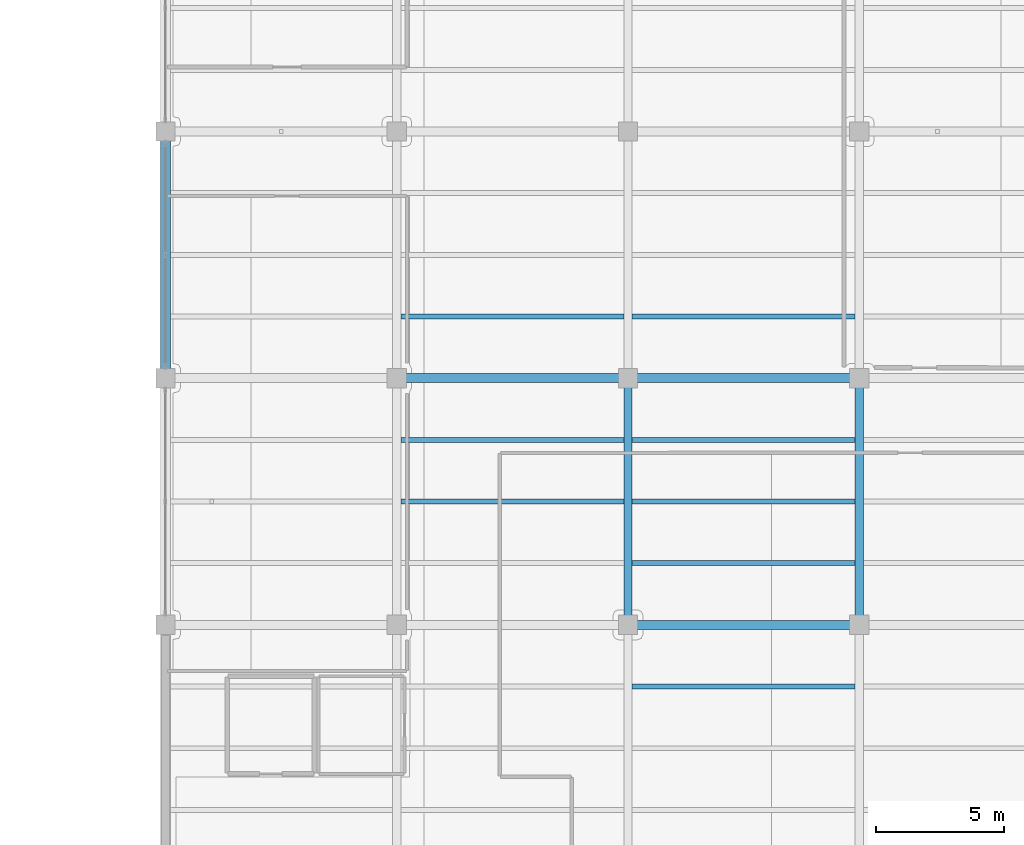
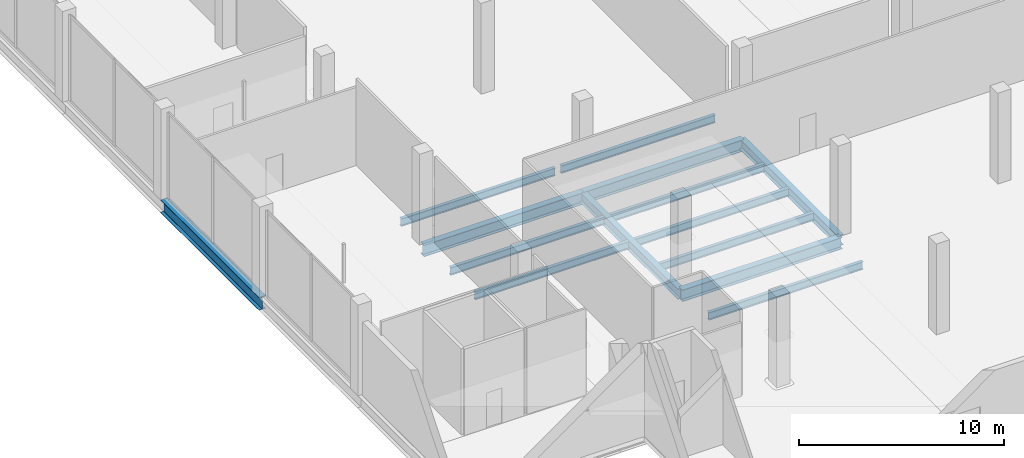
# One storey, part 6 of 47: 14 beams.
"""IFC4 building model written with IfcOpenShell, lengths in metres."""

from ifc_helpers import new_model, si_unit, direction, frame, origin, origin_2d, place, context, subcontext, project, spatial, i_section, extrude, material, material_profile, profile_set, type_object, element, save


model = new_model("IFC4")

# Units and contexts
model_context = context("Model", 3, precision=1e-05, world=origin(), true_north=direction((0.0, 1.0)))
body_context = subcontext(model_context, "Body", "Model", "MODEL_VIEW")
ifc_project = project(units=[si_unit("LENGTHUNIT", "METRE"), si_unit("AREAUNIT", "SQUARE_METRE"), si_unit("VOLUMEUNIT", "CUBIC_METRE"), si_unit("PLANEANGLEUNIT", "RADIAN"), si_unit("MASSUNIT", "GRAM", prefix="KILO")], contexts=[model_context])

# Site, building, storey
site_placement = place(None, origin())
site = spatial("IfcSite", under=ifc_project, at=site_placement, CompositionType="ELEMENT")
building_placement = place(site_placement, origin())
building = spatial("IfcBuilding", under=site, at=building_placement, Name="Qorvath Tower", CompositionType="ELEMENT")
storey_placement = place(building_placement, frame((0.0, 0.0, 6.60009765625)))
storey = spatial("IfcBuildingStorey", under=building, at=storey_placement, Name="L01", CompositionType="ELEMENT", Elevation=6.60009765625)

# Beams
ifc_material_1 = material(Name="Steel ASTM A992 Grade 50", Category="steel")
ifc_material_profile_1 = material_profile(ifc_material_1, i_section(OverallWidth=0.381103515625, OverallDepth=0.77294921875, WebThickness=0.0166015625, FlangeThickness=0.027099609375, FilletRadius=0.01904296875, at=origin_2d()), Name="W30x173")
ifc_profile_set_1 = profile_set([ifc_material_profile_1], Name="Steel ASTM A992 Grade 50")
beam_type_1 = type_object("IfcBeamType", Name="BM-FG3", PredefinedType="BEAM", material=ifc_profile_set_1)
beam_placement = place(storey_placement, frame((32.39990234375, -9.60009765625, -0.646484375), z_axis=(0.0, 1.0, 0.0), x_axis=(-1.0, 0.0, 0.0)))
element("IfcBeam", 1, at=beam_placement, inside=storey, type_object=beam_type_1, Name="Library N-S Girder L01-1-4", PredefinedType="BEAM", context=body_context, shape_type="SweptSolid", body=[
    extrude(i_section(OverallWidth=0.381103515625, OverallDepth=0.77294921875, WebThickness=0.0166015625, FlangeThickness=0.027099609375, FilletRadius=0.01904296875, at=origin_2d()), origin(), (0.0, 0.0, 1.0), 9.60009765625),
])
ifc_material_2 = material(Name="Steel ASTM A992 Grade 50", Category="steel")
ifc_material_profile_2 = material_profile(ifc_material_2, i_section(OverallWidth=0.35595703125, OverallDepth=0.696044921875, WebThickness=0.015380859375, FlangeThickness=0.02490234375, FilletRadius=0.01806640625, at=origin_2d()), Name="W27x146")
ifc_profile_set_2 = profile_set([ifc_material_profile_2], Name="Steel ASTM A992 Grade 50")
beam_type_2 = type_object("IfcBeamType", Name="BM-FG4", PredefinedType="BEAM", material=ifc_profile_set_2)
for number, where, z_axis, x_axis, name in (
    (2, (50.39990234375, -19.199951171875, -0.60791015625), (1.0, 0.0, 0.0), (0.0, 1.0, 0.0), "Library E-W Girder L01-3-3"),
    (3, (41.39990234375, -9.60009765625, -0.60791015625), (1.0, 0.0, 0.0), (0.0, 1.0, 0.0), "Library E-W Girder L01-4-2"),
    (4, (50.39990234375, -9.60009765625, -0.60791015625), (1.0, 0.0, 0.0), (0.0, 1.0, 0.0), "Library E-W Girder L01-4-3"),
):
    element("IfcBeam", number, at=place(storey_placement, frame(where, z_axis=z_axis, x_axis=x_axis)), inside=storey, type_object=beam_type_2, Name=name, PredefinedType="BEAM", context=body_context, shape_type="SweptSolid", body=[
        extrude(i_section(OverallWidth=0.35595703125, OverallDepth=0.696044921875, WebThickness=0.015380859375, FlangeThickness=0.02490234375, FilletRadius=0.01806640625, at=origin_2d()), origin(), (0.0, 0.0, 1.0), 9.0),
    ])
ifc_material_3 = material(Name="Steel ASTM A992 Grade 50", Category="steel")
ifc_material_profile_3 = material_profile(ifc_material_3, i_section(OverallWidth=0.324951171875, OverallDepth=0.615966796875, WebThickness=0.013916015625, FlangeThickness=0.021484375, FilletRadius=0.01611328125, at=origin_2d()), Name="W24x117")
ifc_profile_set_3 = profile_set([ifc_material_profile_3], Name="Steel ASTM A992 Grade 50")
beam_type_3 = type_object("IfcBeamType", Name="BM-FG5", PredefinedType="BEAM", material=ifc_profile_set_3)
for number, where, z_axis, x_axis, name in (
    (5, (50.39990234375, -19.199951171875, -0.568115234375), (0.0, 1.0, 0.0), (-1.0, 0.0, 0.0), "Library N-S Girder L01-3-3"),
    (6, (59.39990234375, -19.199951171875, -0.568115234375), (0.0, 1.0, 0.0), (-1.0, 0.0, 0.0), "Library N-S Girder L01-4-3"),
):
    element("IfcBeam", number, at=place(storey_placement, frame(where, z_axis=z_axis, x_axis=x_axis)), inside=storey, type_object=beam_type_3, Name=name, PredefinedType="BEAM", context=body_context, shape_type="SweptSolid", body=[
        extrude(i_section(OverallWidth=0.324951171875, OverallDepth=0.615966796875, WebThickness=0.013916015625, FlangeThickness=0.021484375, FilletRadius=0.01611328125, at=origin_2d()), origin(), (0.0, 0.0, 1.0), 9.599853515625),
    ])
ifc_material_4 = material(Name="Steel ASTM A992 Grade 50", Category="steel")
ifc_material_profile_4 = material_profile(ifc_material_4, i_section(OverallWidth=0.18994140625, OverallDepth=0.45703125, WebThickness=0.009033203125, FlangeThickness=0.014404296875, FilletRadius=0.011962890625, at=origin_2d()), Name="W18x50")
ifc_profile_set_4 = profile_set([ifc_material_profile_4], Name="Steel ASTM A992 Grade 50")
beam_type_4 = type_object("IfcBeamType", Name="BM-FJ2", PredefinedType="JOIST", material=ifc_profile_set_4)
for number, where, z_axis, x_axis, name in (
    (7, (50.560546875, -21.60009765625, -0.488525390625), (1.0, 0.0, 0.0), (0.0, 1.0, 0.0), "Library Stack Joist L01-2.3-3"),
    (8, (50.560546875, -16.800048828125, -0.488525390625), (1.0, 0.0, 0.0), (0.0, 1.0, 0.0), "Library Stack Joist L01-3.1-3"),
    (9, (41.560546875, -14.39990234375, -0.488525390625), (1.0, 0.0, 0.0), (0.0, 1.0, 0.0), "Library Stack Joist L01-3.2-2"),
    (10, (50.560546875, -14.39990234375, -0.488525390625), (1.0, 0.0, 0.0), (0.0, 1.0, 0.0), "Library Stack Joist L01-3.2-3"),
    (11, (41.560546875, -12.0, -0.488525390625), (1.0, 0.0, 0.0), (0.0, 1.0, 0.0), "Library Stack Joist L01-3.3-2"),
    (12, (50.560546875, -12.0, -0.488525390625), (1.0, 0.0, 0.0), (0.0, 1.0, 0.0), "Library Stack Joist L01-3.3-3"),
    (13, (41.560546875, -7.199951171875, -0.488525390625), (1.0, 0.0, 0.0), (0.0, 1.0, 0.0), "Library Stack Joist L01-4.1-2"),
    (14, (50.560546875, -7.199951171875, -0.488525390625), (1.0, 0.0, 0.0), (0.0, 1.0, 0.0), "Library Stack Joist L01-4.1-3"),
):
    element("IfcBeam", number, at=place(storey_placement, frame(where, z_axis=z_axis, x_axis=x_axis)), inside=storey, type_object=beam_type_4, Name=name, PredefinedType="JOIST", context=body_context, shape_type="SweptSolid", body=[
        extrude(i_section(OverallWidth=0.18994140625, OverallDepth=0.45703125, WebThickness=0.009033203125, FlangeThickness=0.014404296875, FilletRadius=0.011962890625, at=origin_2d()), origin(), (0.0, 0.0, 1.0), 8.678955078125),
    ])

save(model, "model.ifc")
